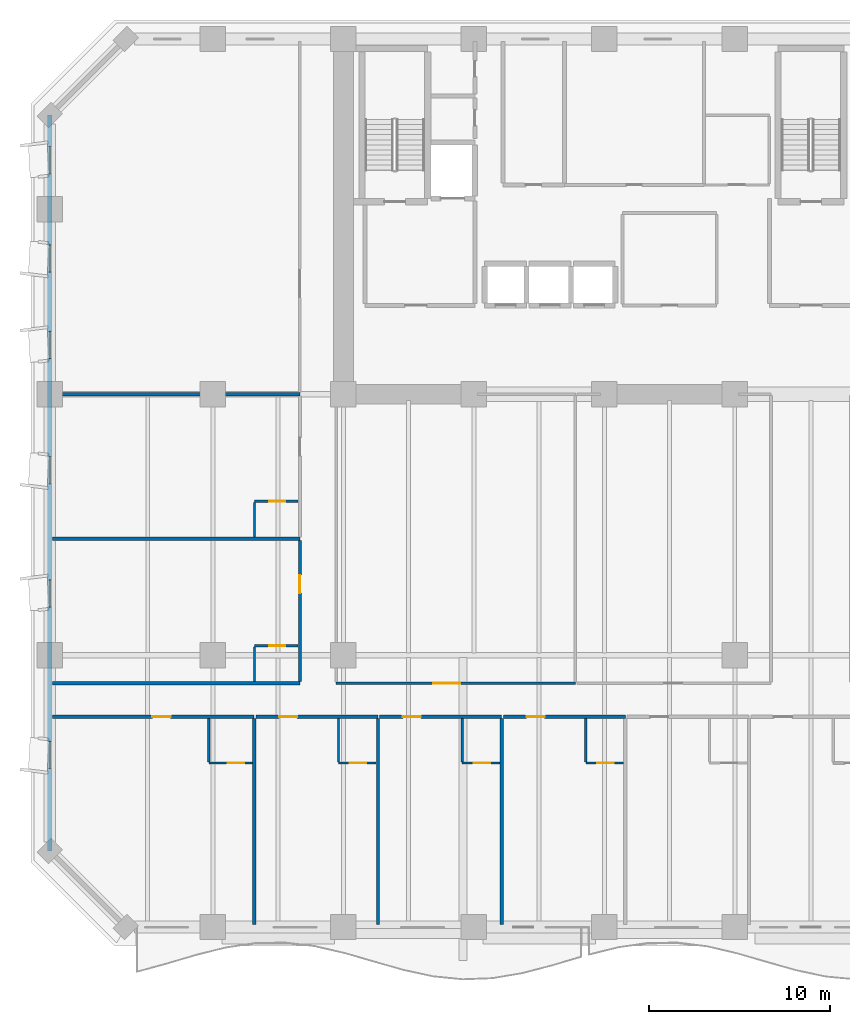
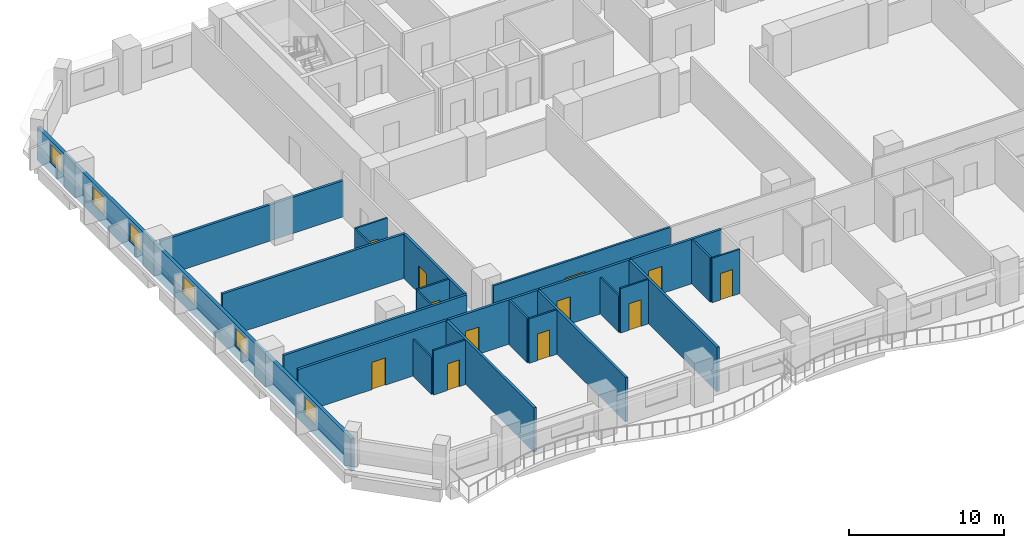
# One storey, part 4 of 15: 25 walls, 12 doors, 6 windows, 18 openings.
"""IFC4 building model written with IfcOpenShell, lengths in metres."""

from ifc_helpers import new_model, si_unit, direction, frame, frame_2d, origin, place, context, subcontext, project, spatial, rectangle, extrude, material, layer, layer_set, type_object, element, fill, save


model = new_model("IFC4")

# Units and contexts
model_context = context("Model", 3, precision=1e-05, world=origin(), true_north=direction((0.0, 1.0)))
body_context = subcontext(model_context, "Body", "Model", "MODEL_VIEW")
ifc_project = project(units=[si_unit("LENGTHUNIT", "METRE"), si_unit("AREAUNIT", "SQUARE_METRE"), si_unit("VOLUMEUNIT", "CUBIC_METRE"), si_unit("PLANEANGLEUNIT", "RADIAN"), si_unit("MASSUNIT", "GRAM", prefix="KILO")], contexts=[model_context])

# Site, building, storey
site_placement = place(None, origin())
site = spatial("IfcSite", under=ifc_project, at=site_placement, CompositionType="ELEMENT")
building_placement = place(site_placement, origin())
building = spatial("IfcBuilding", under=site, at=building_placement, Name="Kaelvorn Grand Hotel", CompositionType="ELEMENT")
storey_placement = place(building_placement, frame((0.0, 0.0, 53.89990234375)))
storey = spatial("IfcBuildingStorey", under=building, at=storey_placement, Name="L11", CompositionType="ELEMENT", Elevation=53.89990234375)

# Wall, openings, windows
ifc_material_1 = material(Name="Concrete C40/50", Category="concrete")
ifc_layer_1 = layer(ifc_material_1, 0.260009765625)
ifc_layer_set_1 = layer_set([ifc_layer_1], Name="Concrete C40/50")
wall_type_1 = type_object("IfcWallType", Name="WL-EXT-260-C40", PredefinedType="SOLIDWALL", material=ifc_layer_set_1)
wall_1_placement = place(storey_placement, frame((0.0, 44.800048828125, 0.0), z_axis=(0.0, 0.0, 1.0), x_axis=(0.0, -1.0, 0.0)))
wall_1 = element("IfcWall", 1, at=wall_1_placement, inside=storey, type_object=wall_type_1, Name="L11 Exterior Architectural Concrete Wall 07", PredefinedType="SOLIDWALL", context=body_context, shape_type="SweptSolid", body=[
    extrude(rectangle(XDim=40.60009765625, YDim=0.260009765625, at=frame_2d((20.300048828125, 0.0))), origin(), (0.0, 0.0, 1.0), 2.56005859375),
])
opening_1_placement = place(wall_1_placement, frame((34.550048828125, 0.0, 0.85009765625)))
opening_1 = element("IfcOpeningElement", 2, at=opening_1_placement, cuts=wall_1, Name="Opening W10", PredefinedType="OPENING", context=body_context, shape_type="SweptSolid", body=[
    extrude(rectangle(XDim=1.5, YDim=1.39990234375, at=frame_2d((0.75, 0.699951171875))), frame((0.0, 0.14013671875, 0.0), z_axis=(0.0, -1.0, 0.0), x_axis=(1.0, 0.0, 0.0)), (0.0, 0.0, 1.0), 0.280029296875),
])
opening_2_placement = place(wall_1_placement, frame((25.639892578125, 0.0, 0.85009765625)))
opening_2 = element("IfcOpeningElement", 3, at=opening_2_placement, cuts=wall_1, Name="Opening W10", PredefinedType="OPENING", context=body_context, shape_type="SweptSolid", body=[
    extrude(rectangle(XDim=1.5, YDim=1.39990234375, at=frame_2d((0.75, 0.699951171875))), frame((0.0, 0.14013671875, 0.0), z_axis=(0.0, -1.0, 0.0), x_axis=(1.0, 0.0, 0.0)), (0.0, 0.0, 1.0), 0.280029296875),
])
opening_3_placement = place(wall_1_placement, frame((18.840087890625, 0.0, 0.85009765625)))
opening_3 = element("IfcOpeningElement", 4, at=opening_3_placement, cuts=wall_1, Name="Opening W10", PredefinedType="OPENING", context=body_context, shape_type="SweptSolid", body=[
    extrude(rectangle(XDim=1.5, YDim=1.39990234375, at=frame_2d((0.75, 0.699951171875))), frame((0.0, 0.14013671875, 0.0), z_axis=(0.0, -1.0, 0.0), x_axis=(1.0, 0.0, 0.0)), (0.0, 0.0, 1.0), 0.280029296875),
])
opening_4_placement = place(wall_1_placement, frame((11.93505859375, 0.0, 0.85009765625)))
opening_4 = element("IfcOpeningElement", 5, at=opening_4_placement, cuts=wall_1, Name="Opening W10", PredefinedType="OPENING", context=body_context, shape_type="SweptSolid", body=[
    extrude(rectangle(XDim=1.5, YDim=1.39990234375, at=frame_2d((0.75, 0.699951171875))), frame((0.0, 0.14013671875, 0.0), z_axis=(0.0, -1.0, 0.0), x_axis=(1.0, 0.0, 0.0)), (0.0, 0.0, 1.0), 0.280029296875),
])
opening_5_placement = place(wall_1_placement, frame((7.1650390625, 0.0, 0.85009765625)))
opening_5 = element("IfcOpeningElement", 6, at=opening_5_placement, cuts=wall_1, Name="Opening W10", PredefinedType="OPENING", context=body_context, shape_type="SweptSolid", body=[
    extrude(rectangle(XDim=1.5, YDim=1.39990234375, at=frame_2d((0.75, 0.699951171875))), frame((0.0, 0.14013671875, 0.0), z_axis=(0.0, -1.0, 0.0), x_axis=(1.0, 0.0, 0.0)), (0.0, 0.0, 1.0), 0.280029296875),
])
opening_6_placement = place(wall_1_placement, frame((1.735107421875, 0.0, 0.85009765625)))
opening_6 = element("IfcOpeningElement", 7, at=opening_6_placement, cuts=wall_1, Name="Opening W10", PredefinedType="OPENING", context=body_context, shape_type="SweptSolid", body=[
    extrude(rectangle(XDim=1.5, YDim=1.39990234375, at=frame_2d((0.75, 0.699951171875))), frame((0.0, 0.14013671875, 0.0), z_axis=(0.0, -1.0, 0.0), x_axis=(1.0, 0.0, 0.0)), (0.0, 0.0, 1.0), 0.280029296875),
])
ifc_material_2 = material(Name="Laminated Low-E Glass", Category="glass")
window_type = type_object("IfcWindowType", Name="WIN-COR-1500x1400", PartitioningType="SINGLE_PANEL", PredefinedType="WINDOW", material=ifc_material_2)
window_1_placement = place(opening_1_placement, origin())
window_1 = element("IfcWindow", 8, at=window_1_placement, inside=storey, type_object=window_type, Name="L11 W Wing Tilted-Frame Ribbon Window W01", OverallHeight=1.39990234375, OverallWidth=1.5, PartitioningType="SINGLE_PANEL", PredefinedType="WINDOW", context=body_context, shape_type="SweptSolid", body=[
    extrude(rectangle(XDim=1.5, YDim=1.39990234375, at=frame_2d((0.75, 0.699951171875))), frame((0.0, 0.030029296875, 0.0), z_axis=(0.0, -1.0, 0.0), x_axis=(1.0, 0.0, 0.0)), (0.0, 0.0, 1.0), 0.06005859375),
])
fill(opening_1, window_1)
window_2_placement = place(opening_2_placement, origin())
window_2 = element("IfcWindow", 9, at=window_2_placement, inside=storey, type_object=window_type, Name="L11 W Wing Tilted-Frame Ribbon Window W02", OverallHeight=1.39990234375, OverallWidth=1.5, PartitioningType="SINGLE_PANEL", PredefinedType="WINDOW", context=body_context, shape_type="SweptSolid", body=[
    extrude(rectangle(XDim=1.5, YDim=1.39990234375, at=frame_2d((0.75, 0.699951171875))), frame((0.0, 0.030029296875, 0.0), z_axis=(0.0, -1.0, 0.0), x_axis=(1.0, 0.0, 0.0)), (0.0, 0.0, 1.0), 0.06005859375),
])
fill(opening_2, window_2)
window_3_placement = place(opening_3_placement, origin())
window_3 = element("IfcWindow", 10, at=window_3_placement, inside=storey, type_object=window_type, Name="L11 W Wing Tilted-Frame Ribbon Window W03", OverallHeight=1.39990234375, OverallWidth=1.5, PartitioningType="SINGLE_PANEL", PredefinedType="WINDOW", context=body_context, shape_type="SweptSolid", body=[
    extrude(rectangle(XDim=1.5, YDim=1.39990234375, at=frame_2d((0.75, 0.699951171875))), frame((0.0, 0.030029296875, 0.0), z_axis=(0.0, -1.0, 0.0), x_axis=(1.0, 0.0, 0.0)), (0.0, 0.0, 1.0), 0.06005859375),
])
fill(opening_3, window_3)
window_4_placement = place(opening_4_placement, origin())
window_4 = element("IfcWindow", 11, at=window_4_placement, inside=storey, type_object=window_type, Name="L11 W Wing Tilted-Frame Ribbon Window W04", OverallHeight=1.39990234375, OverallWidth=1.5, PartitioningType="SINGLE_PANEL", PredefinedType="WINDOW", context=body_context, shape_type="SweptSolid", body=[
    extrude(rectangle(XDim=1.5, YDim=1.39990234375, at=frame_2d((0.75, 0.699951171875))), frame((0.0, 0.030029296875, 0.0), z_axis=(0.0, -1.0, 0.0), x_axis=(1.0, 0.0, 0.0)), (0.0, 0.0, 1.0), 0.06005859375),
])
fill(opening_4, window_4)
window_5_placement = place(opening_5_placement, origin())
window_5 = element("IfcWindow", 12, at=window_5_placement, inside=storey, type_object=window_type, Name="L11 W Wing Tilted-Frame Ribbon Window W05", OverallHeight=1.39990234375, OverallWidth=1.5, PartitioningType="SINGLE_PANEL", PredefinedType="WINDOW", context=body_context, shape_type="SweptSolid", body=[
    extrude(rectangle(XDim=1.5, YDim=1.39990234375, at=frame_2d((0.75, 0.699951171875))), frame((0.0, 0.030029296875, 0.0), z_axis=(0.0, -1.0, 0.0), x_axis=(1.0, 0.0, 0.0)), (0.0, 0.0, 1.0), 0.06005859375),
])
fill(opening_5, window_5)
window_6_placement = place(opening_6_placement, origin())
window_6 = element("IfcWindow", 13, at=window_6_placement, inside=storey, type_object=window_type, Name="L11 W Wing Tilted-Frame Ribbon Window W06", OverallHeight=1.39990234375, OverallWidth=1.5, PartitioningType="SINGLE_PANEL", PredefinedType="WINDOW", context=body_context, shape_type="SweptSolid", body=[
    extrude(rectangle(XDim=1.5, YDim=1.39990234375, at=frame_2d((0.75, 0.699951171875))), frame((0.0, 0.030029296875, 0.0), z_axis=(0.0, -1.0, 0.0), x_axis=(1.0, 0.0, 0.0)), (0.0, 0.0, 1.0), 0.06005859375),
])
fill(opening_6, window_6)

# Wall, opening, door
ifc_material_3 = material(Name="Moisture-Resistant Tile & Stud Board")
ifc_layer_2 = layer(ifc_material_3, 0.125)
ifc_layer_set_2 = layer_set([ifc_layer_2], Name="Moisture-Resistant Tile & Stud Board")
wall_type_2 = type_object("IfcWallType", Name="WL-PART-125-WET", PredefinedType="PARTITIONING", material=ifc_layer_set_2)
wall_2_placement = place(storey_placement, frame((8.77734375, 9.050048828125, 0.0), z_axis=(0.0, 0.0, 1.0), x_axis=(1.0, 0.0, 0.0)))
wall_2 = element("IfcWall", 14, at=wall_2_placement, inside=storey, type_object=wall_type_2, Name="L11 En-suite Bathroom L11-01 S Partition", PredefinedType="PARTITIONING", context=body_context, shape_type="SweptSolid", body=[
    extrude(rectangle(XDim=2.405029296875, YDim=0.125, at=frame_2d((1.20263671875, 0.0))), origin(), (0.0, 0.0, 1.0), 3.510009765625),
])
opening_7_placement = place(wall_2_placement, frame((1.050048828125, 0.0, 0.0)))
opening_7 = element("IfcOpeningElement", 15, at=opening_7_placement, cuts=wall_2, Name="Opening DI4", PredefinedType="OPENING", context=body_context, shape_type="SweptSolid", body=[
    extrude(rectangle(XDim=0.89990234375, YDim=2.10009765625, at=frame_2d((0.449951171875, 1.050048828125))), frame((0.0, 0.072509765625, 0.0), z_axis=(0.0, -1.0, 0.0), x_axis=(1.0, 0.0, 0.0)), (0.0, 0.0, 1.0), 0.14501953125),
])
ifc_material_4 = material(Name="Timber Veneer Leaf", Category="wood")
door_type_1 = type_object("IfcDoorType", Name="DR-INT-BATH-900x2100", OperationType="NOTDEFINED", PredefinedType="DOOR", material=ifc_material_4)
door_1_placement = place(opening_7_placement, origin())
door_1 = element("IfcDoor", 16, at=door_1_placement, inside=storey, type_object=door_type_1, Name="L11 En-suite Bathroom L11-01 Door", OperationType="SINGLE_SWING_RIGHT", OverallHeight=2.10009765625, OverallWidth=0.89990234375, PredefinedType="DOOR", context=body_context, shape_type="SweptSolid", body=[
    extrude(rectangle(XDim=0.89990234375, YDim=2.10009765625, at=frame_2d((0.449951171875, 1.050048828125))), frame((0.0, 0.02490234375, 0.0), z_axis=(0.0, -1.0, 0.0), x_axis=(1.0, 0.0, 0.0)), (0.0, 0.0, 1.0), 0.050048828125),
])
fill(opening_7, door_1)

# Wall
wall_3_placement = place(storey_placement, frame((8.77734375, 9.117431640625, 0.0), z_axis=(0.0, 0.0, 1.0), x_axis=(0.0, 1.0, 0.0)))
element("IfcWall", 17, at=wall_3_placement, inside=storey, type_object=wall_type_2, Name="L11 En-suite Bathroom L11-01 W Partition", PredefinedType="PARTITIONING", context=body_context, shape_type="SweptSolid", body=[
    extrude(rectangle(XDim=2.387451171875, YDim=0.125, at=frame_2d((1.19384765625, 0.0))), origin(), (0.0, 0.0, 1.0), 2.89794921875),
])

# Wall, opening, door
wall_4_placement = place(storey_placement, frame((15.924560546875, 9.050048828125, 0.0), z_axis=(0.0, 0.0, 1.0), x_axis=(1.0, 0.0, 0.0)))
wall_4 = element("IfcWall", 18, at=wall_4_placement, inside=storey, type_object=wall_type_2, Name="L11 En-suite Bathroom L11-02 S Partition", PredefinedType="PARTITIONING", context=body_context, shape_type="SweptSolid", body=[
    extrude(rectangle(XDim=2.0849609375, YDim=0.125, at=frame_2d((1.04248046875, 0.0))), origin(), (0.0, 0.0, 1.0), 3.510009765625),
])
opening_8_placement = place(wall_4_placement, frame((0.639892578125, 0.0, 0.0)))
opening_8 = element("IfcOpeningElement", 19, at=opening_8_placement, cuts=wall_4, Name="Opening DI4", PredefinedType="OPENING", context=body_context, shape_type="SweptSolid", body=[
    extrude(rectangle(XDim=0.89990234375, YDim=2.10009765625, at=frame_2d((0.449951171875, 1.050048828125))), frame((0.0, 0.072509765625, 0.0), z_axis=(0.0, -1.0, 0.0), x_axis=(1.0, 0.0, 0.0)), (0.0, 0.0, 1.0), 0.14501953125),
])
door_2_placement = place(opening_8_placement, origin())
door_2 = element("IfcDoor", 20, at=door_2_placement, inside=storey, type_object=door_type_1, Name="L11 En-suite Bathroom L11-02 Door", OperationType="SINGLE_SWING_RIGHT", OverallHeight=2.10009765625, OverallWidth=0.89990234375, PredefinedType="DOOR", context=body_context, shape_type="SweptSolid", body=[
    extrude(rectangle(XDim=0.89990234375, YDim=2.10009765625, at=frame_2d((0.449951171875, 1.050048828125))), frame((0.0, 0.02490234375, 0.0), z_axis=(0.0, -1.0, 0.0), x_axis=(1.0, 0.0, 0.0)), (0.0, 0.0, 1.0), 0.050048828125),
])
fill(opening_8, door_2)

# Wall
wall_5_placement = place(storey_placement, frame((15.924560546875, 9.117431640625, 0.0), z_axis=(0.0, 0.0, 1.0), x_axis=(0.0, 1.0, 0.0)))
element("IfcWall", 21, at=wall_5_placement, inside=storey, type_object=wall_type_2, Name="L11 En-suite Bathroom L11-02 W Partition", PredefinedType="PARTITIONING", context=body_context, shape_type="SweptSolid", body=[
    extrude(rectangle(XDim=2.387451171875, YDim=0.125, at=frame_2d((1.19384765625, 0.0))), origin(), (0.0, 0.0, 1.0), 3.510009765625),
])

# Wall, opening, door
wall_6_placement = place(storey_placement, frame((22.751708984375, 9.050048828125, 0.0), z_axis=(0.0, 0.0, 1.0), x_axis=(1.0, 0.0, 0.0)))
wall_6 = element("IfcWall", 22, at=wall_6_placement, inside=storey, type_object=wall_type_2, Name="L11 En-suite Bathroom L11-03 S Partition", PredefinedType="PARTITIONING", context=body_context, shape_type="SweptSolid", body=[
    extrude(rectangle(XDim=2.085205078125, YDim=0.125, at=frame_2d((1.04248046875, 0.0))), origin(), (0.0, 0.0, 1.0), 3.510009765625),
])
opening_9_placement = place(wall_6_placement, frame((0.639892578125, 0.0, 0.0)))
opening_9 = element("IfcOpeningElement", 23, at=opening_9_placement, cuts=wall_6, Name="Opening DI4", PredefinedType="OPENING", context=body_context, shape_type="SweptSolid", body=[
    extrude(rectangle(XDim=0.89990234375, YDim=2.10009765625, at=frame_2d((0.449951171875, 1.050048828125))), frame((0.0, 0.072509765625, 0.0), z_axis=(0.0, -1.0, 0.0), x_axis=(1.0, 0.0, 0.0)), (0.0, 0.0, 1.0), 0.14501953125),
])
door_3_placement = place(opening_9_placement, origin())
door_3 = element("IfcDoor", 24, at=door_3_placement, inside=storey, type_object=door_type_1, Name="L11 En-suite Bathroom L11-03 Door", OperationType="SINGLE_SWING_RIGHT", OverallHeight=2.10009765625, OverallWidth=0.89990234375, PredefinedType="DOOR", context=body_context, shape_type="SweptSolid", body=[
    extrude(rectangle(XDim=0.89990234375, YDim=2.10009765625, at=frame_2d((0.449951171875, 1.050048828125))), frame((0.0, 0.02490234375, 0.0), z_axis=(0.0, -1.0, 0.0), x_axis=(1.0, 0.0, 0.0)), (0.0, 0.0, 1.0), 0.050048828125),
])
fill(opening_9, door_3)

# Wall
wall_7_placement = place(storey_placement, frame((22.751708984375, 9.117431640625, 0.0), z_axis=(0.0, 0.0, 1.0), x_axis=(0.0, 1.0, 0.0)))
element("IfcWall", 25, at=wall_7_placement, inside=storey, type_object=wall_type_2, Name="L11 En-suite Bathroom L11-03 W Partition", PredefinedType="PARTITIONING", context=body_context, shape_type="SweptSolid", body=[
    extrude(rectangle(XDim=2.387451171875, YDim=0.125, at=frame_2d((1.19384765625, 0.0))), origin(), (0.0, 0.0, 1.0), 2.880126953125),
])

# Wall, opening, door
wall_8_placement = place(storey_placement, frame((29.5791015625, 9.050048828125, 0.0), z_axis=(0.0, 0.0, 1.0), x_axis=(1.0, 0.0, 0.0)))
wall_8 = element("IfcWall", 26, at=wall_8_placement, inside=storey, type_object=wall_type_2, Name="L11 En-suite Bathroom L11-04 S Partition", PredefinedType="PARTITIONING", context=body_context, shape_type="SweptSolid", body=[
    extrude(rectangle(XDim=2.0849609375, YDim=0.125, at=frame_2d((1.04248046875, 0.0))), origin(), (0.0, 0.0, 1.0), 3.510009765625),
])
opening_10_placement = place(wall_8_placement, frame((0.639892578125, 0.0, 0.0)))
opening_10 = element("IfcOpeningElement", 27, at=opening_10_placement, cuts=wall_8, Name="Opening DI4", PredefinedType="OPENING", context=body_context, shape_type="SweptSolid", body=[
    extrude(rectangle(XDim=0.89990234375, YDim=2.10009765625, at=frame_2d((0.449951171875, 1.050048828125))), frame((0.0, 0.072509765625, 0.0), z_axis=(0.0, -1.0, 0.0), x_axis=(1.0, 0.0, 0.0)), (0.0, 0.0, 1.0), 0.14501953125),
])
door_4_placement = place(opening_10_placement, origin())
door_4 = element("IfcDoor", 28, at=door_4_placement, inside=storey, type_object=door_type_1, Name="L11 En-suite Bathroom L11-04 Door", OperationType="SINGLE_SWING_RIGHT", OverallHeight=2.10009765625, OverallWidth=0.89990234375, PredefinedType="DOOR", context=body_context, shape_type="SweptSolid", body=[
    extrude(rectangle(XDim=0.89990234375, YDim=2.10009765625, at=frame_2d((0.449951171875, 1.050048828125))), frame((0.0, 0.02490234375, 0.0), z_axis=(0.0, -1.0, 0.0), x_axis=(1.0, 0.0, 0.0)), (0.0, 0.0, 1.0), 0.050048828125),
])
fill(opening_10, door_4)

# Wall
wall_9_placement = place(storey_placement, frame((29.5791015625, 9.117431640625, 0.0), z_axis=(0.0, 0.0, 1.0), x_axis=(0.0, 1.0, 0.0)))
element("IfcWall", 29, at=wall_9_placement, inside=storey, type_object=wall_type_2, Name="L11 En-suite Bathroom L11-04 W Partition", PredefinedType="PARTITIONING", context=body_context, shape_type="SweptSolid", body=[
    extrude(rectangle(XDim=2.387451171875, YDim=0.125, at=frame_2d((1.19384765625, 0.0))), origin(), (0.0, 0.0, 1.0), 3.510009765625),
])

# Wall, opening, door
wall_10_placement = place(storey_placement, frame((11.300048828125, 15.52001953125, 0.0), z_axis=(0.0, 0.0, 1.0), x_axis=(1.0, 0.0, 0.0)))
wall_10 = element("IfcWall", 30, at=wall_10_placement, inside=storey, type_object=wall_type_2, Name="L11 En-suite Bathroom L11-12 N Partition", PredefinedType="PARTITIONING", context=body_context, shape_type="SweptSolid", body=[
    extrude(rectangle(XDim=2.405029296875, YDim=0.125, at=frame_2d((1.20263671875, 0.0))), origin(), (0.0, 0.0, 1.0), 3.510009765625),
])
opening_11_placement = place(wall_10_placement, frame((0.800048828125, 0.0, 0.0)))
opening_11 = element("IfcOpeningElement", 31, at=opening_11_placement, cuts=wall_10, Name="Opening DI4", PredefinedType="OPENING", context=body_context, shape_type="SweptSolid", body=[
    extrude(rectangle(XDim=0.89990234375, YDim=2.10009765625, at=frame_2d((0.449951171875, 1.050048828125))), frame((0.0, 0.072509765625, 0.0), z_axis=(0.0, -1.0, 0.0), x_axis=(1.0, 0.0, 0.0)), (0.0, 0.0, 1.0), 0.14501953125),
])
door_5_placement = place(opening_11_placement, origin())
door_5 = element("IfcDoor", 32, at=door_5_placement, inside=storey, type_object=door_type_1, Name="L11 En-suite Bathroom L11-12 Door", OperationType="SINGLE_SWING_RIGHT", OverallHeight=2.10009765625, OverallWidth=0.89990234375, PredefinedType="DOOR", context=body_context, shape_type="SweptSolid", body=[
    extrude(rectangle(XDim=0.89990234375, YDim=2.10009765625, at=frame_2d((0.449951171875, 1.050048828125))), frame((0.0, 0.02490234375, 0.0), z_axis=(0.0, -1.0, 0.0), x_axis=(1.0, 0.0, 0.0)), (0.0, 0.0, 1.0), 0.050048828125),
])
fill(opening_11, door_5)

# Wall
wall_11_placement = place(storey_placement, frame((11.300048828125, 13.544921875, 0.0), z_axis=(0.0, 0.0, 1.0), x_axis=(0.0, 1.0, 0.0)))
element("IfcWall", 33, at=wall_11_placement, inside=storey, type_object=wall_type_2, Name="L11 En-suite Bathroom L11-12 W Partition", PredefinedType="PARTITIONING", context=body_context, shape_type="SweptSolid", body=[
    extrude(rectangle(XDim=1.907470703125, YDim=0.125, at=frame_2d((0.95361328125, 0.0))), origin(), (0.0, 0.0, 1.0), 3.510009765625),
])

# Wall, opening, door
wall_12_placement = place(storey_placement, frame((11.300048828125, 23.489990234375, 0.0), z_axis=(0.0, 0.0, 1.0), x_axis=(1.0, 0.0, 0.0)))
wall_12 = element("IfcWall", 34, at=wall_12_placement, inside=storey, type_object=wall_type_2, Name="L11 En-suite Bathroom L11-13 N Partition", PredefinedType="PARTITIONING", context=body_context, shape_type="SweptSolid", body=[
    extrude(rectangle(XDim=2.405029296875, YDim=0.125, at=frame_2d((1.20263671875, 0.0))), origin(), (0.0, 0.0, 1.0), 3.510009765625),
])
opening_12_placement = place(wall_12_placement, frame((0.800048828125, 0.0, 0.0)))
opening_12 = element("IfcOpeningElement", 35, at=opening_12_placement, cuts=wall_12, Name="Opening DI4", PredefinedType="OPENING", context=body_context, shape_type="SweptSolid", body=[
    extrude(rectangle(XDim=0.89990234375, YDim=2.10009765625, at=frame_2d((0.449951171875, 1.050048828125))), frame((0.0, 0.072509765625, 0.0), z_axis=(0.0, -1.0, 0.0), x_axis=(1.0, 0.0, 0.0)), (0.0, 0.0, 1.0), 0.14501953125),
])
door_6_placement = place(opening_12_placement, origin())
door_6 = element("IfcDoor", 36, at=door_6_placement, inside=storey, type_object=door_type_1, Name="L11 En-suite Bathroom L11-13 Door", OperationType="SINGLE_SWING_RIGHT", OverallHeight=2.10009765625, OverallWidth=0.89990234375, PredefinedType="DOOR", context=body_context, shape_type="SweptSolid", body=[
    extrude(rectangle(XDim=0.89990234375, YDim=2.10009765625, at=frame_2d((0.449951171875, 1.050048828125))), frame((0.0, 0.02490234375, 0.0), z_axis=(0.0, -1.0, 0.0), x_axis=(1.0, 0.0, 0.0)), (0.0, 0.0, 1.0), 0.050048828125),
])
fill(opening_12, door_6)

# Wall
wall_13_placement = place(storey_placement, frame((11.300048828125, 21.514892578125, 0.0), z_axis=(0.0, 0.0, 1.0), x_axis=(0.0, 1.0, 0.0)))
element("IfcWall", 37, at=wall_13_placement, inside=storey, type_object=wall_type_2, Name="L11 En-suite Bathroom L11-13 W Partition", PredefinedType="PARTITIONING", context=body_context, shape_type="SweptSolid", body=[
    extrude(rectangle(XDim=1.90771484375, YDim=0.125, at=frame_2d((0.953857421875, 0.0))), origin(), (0.0, 0.0, 1.0), 3.510009765625),
])

# Wall, opening, door
ifc_material_5 = material(Name="Acoustic Gypsum & Stud Partition")
ifc_layer_3 = layer(ifc_material_5, 0.14990234375)
ifc_layer_set_3 = layer_set([ifc_layer_3], Name="Acoustic Gypsum & Stud Partition")
wall_type_3 = type_object("IfcWallType", Name="WL-PART-150-EI60", PredefinedType="PARTITIONING", material=ifc_layer_set_3)
wall_14_placement = place(storey_placement, frame((15.800048828125, 13.449951171875, 0.0), z_axis=(0.0, 0.0, 1.0), x_axis=(1.0, 0.0, 0.0)))
wall_14 = element("IfcWall", 38, at=wall_14_placement, inside=storey, type_object=wall_type_3, Name="L11 Reading Library Lounge S Partition", PredefinedType="PARTITIONING", context=body_context, shape_type="SweptSolid", body=[
    extrude(rectangle(XDim=13.199951171875, YDim=0.14990234375, at=frame_2d((6.60009765625, 0.0))), origin(), (0.0, 0.0, 1.0), 3.510009765625),
])
opening_13_placement = place(wall_14_placement, frame((5.35009765625, 0.0, 0.0)))
opening_13 = element("IfcOpeningElement", 39, at=opening_13_placement, cuts=wall_14, Name="Opening DI5", PredefinedType="OPENING", context=body_context, shape_type="SweptSolid", body=[
    extrude(rectangle(XDim=1.5, YDim=2.25, at=frame_2d((0.75, 1.125))), frame((0.0, 0.0849609375, 0.0), z_axis=(0.0, -1.0, 0.0), x_axis=(1.0, 0.0, 0.0)), (0.0, 0.0, 1.0), 0.169921875),
])
ifc_material_6 = material(Name="Timber Veneer Fire Leaf", Category="wood")
door_type_2 = type_object("IfcDoorType", Name="DR-INT-SALON-1500x2250", OperationType="DOUBLE_DOOR_SINGLE_SWING", PredefinedType="DOOR", material=ifc_material_6)
door_7_placement = place(opening_13_placement, origin())
door_7 = element("IfcDoor", 40, at=door_7_placement, inside=storey, type_object=door_type_2, Name="L11 Reading Library Lounge Door", OperationType="DOUBLE_DOOR_SINGLE_SWING", OverallHeight=2.25, OverallWidth=1.5, PredefinedType="DOOR", context=body_context, shape_type="SweptSolid", body=[
    extrude(rectangle(XDim=1.5, YDim=2.25, at=frame_2d((0.75, 1.125))), frame((0.0, 0.02490234375, 0.0), z_axis=(0.0, -1.0, 0.0), x_axis=(1.0, 0.0, 0.0)), (0.0, 0.0, 1.0), 0.050048828125),
])
fill(opening_13, door_7)

ifc_layer_4 = layer(ifc_material_5, 0.179931640625)
ifc_layer_set_4 = layer_set([ifc_layer_4], Name="Acoustic Gypsum & Stud Partition")
wall_type_4 = type_object("IfcWallType", Name="WL-PART-180-EI60", PredefinedType="PARTITIONING", material=ifc_layer_set_4)
wall_15_placement = place(storey_placement, frame((0.14990234375, 11.60009765625, 0.0), z_axis=(0.0, 0.0, 1.0), x_axis=(1.0, 0.0, 0.0)))
wall_15 = element("IfcWall", 41, at=wall_15_placement, inside=storey, type_object=wall_type_4, Name="L11 Deluxe Panoramic Suite L11-01 N Partition", PredefinedType="PARTITIONING", context=body_context, shape_type="SweptSolid", body=[
    extrude(rectangle(XDim=11.12744140625, YDim=0.179931640625, at=frame_2d((5.563720703125, 0.0))), origin(), (0.0, 0.0, 1.0), 3.510009765625),
])
opening_14_placement = place(wall_15_placement, frame((5.513671875, 0.0, 0.0)))
opening_14 = element("IfcOpeningElement", 42, at=opening_14_placement, cuts=wall_15, Name="Opening DI3", PredefinedType="OPENING", context=body_context, shape_type="SweptSolid", body=[
    extrude(rectangle(XDim=1.0, YDim=2.14990234375, at=frame_2d((0.5, 1.074951171875))), frame((0.0, 0.10009765625, 0.0), z_axis=(0.0, -1.0, 0.0), x_axis=(1.0, 0.0, 0.0)), (0.0, 0.0, 1.0), 0.199951171875),
])
door_type_3 = type_object("IfcDoorType", Name="DR-INT-GUEST-1000x2150", OperationType="NOTDEFINED", PredefinedType="DOOR", material=ifc_material_6)
door_8_placement = place(opening_14_placement, origin())
door_8 = element("IfcDoor", 43, at=door_8_placement, inside=storey, type_object=door_type_3, Name="L11 Deluxe Panoramic Suite L11-01 Door", OperationType="SINGLE_SWING_LEFT", OverallHeight=2.14990234375, OverallWidth=1.0, PredefinedType="DOOR", context=body_context, shape_type="SweptSolid", body=[
    extrude(rectangle(XDim=1.0, YDim=2.14990234375, at=frame_2d((0.5, 1.074951171875))), frame((0.0, 0.02490234375, 0.0), z_axis=(0.0, -1.0, 0.0), x_axis=(1.0, 0.0, 0.0)), (0.0, 0.0, 1.0), 0.050048828125),
])
fill(opening_14, door_8)

# Wall
wall_16_placement = place(storey_placement, frame((11.27734375, 0.14990234375, 0.0), z_axis=(0.0, 0.0, 1.0), x_axis=(0.0, 1.0, 0.0)))
element("IfcWall", 44, at=wall_16_placement, inside=storey, type_object=wall_type_4, Name="L11 Deluxe Panoramic Suite L11-01 E Partition", PredefinedType="PARTITIONING", context=body_context, shape_type="SweptSolid", body=[
    extrude(rectangle(XDim=11.35498046875, YDim=0.179931640625, at=frame_2d((5.677490234375, 0.0))), origin(), (0.0, 0.0, 1.0), 3.510009765625),
])

# Wall, opening, door
wall_17_placement = place(storey_placement, frame((11.372314453125, 11.60009765625, 0.0), z_axis=(0.0, 0.0, 1.0), x_axis=(1.0, 0.0, 0.0)))
wall_17 = element("IfcWall", 45, at=wall_17_placement, inside=storey, type_object=wall_type_4, Name="L11 Deluxe Panoramic Suite L11-02 N Partition", PredefinedType="PARTITIONING", context=body_context, shape_type="SweptSolid", body=[
    extrude(rectangle(XDim=6.732177734375, YDim=0.179931640625, at=frame_2d((3.3662109375, 0.0))), origin(), (0.0, 0.0, 1.0), 3.510009765625),
])
opening_15_placement = place(wall_17_placement, frame((1.278564453125, 0.0, 0.0)))
opening_15 = element("IfcOpeningElement", 46, at=opening_15_placement, cuts=wall_17, Name="Opening DI3", PredefinedType="OPENING", context=body_context, shape_type="SweptSolid", body=[
    extrude(rectangle(XDim=1.0, YDim=2.14990234375, at=frame_2d((0.5, 1.074951171875))), frame((0.0, 0.10009765625, 0.0), z_axis=(0.0, -1.0, 0.0), x_axis=(1.0, 0.0, 0.0)), (0.0, 0.0, 1.0), 0.199951171875),
])
door_9_placement = place(opening_15_placement, origin())
door_9 = element("IfcDoor", 47, at=door_9_placement, inside=storey, type_object=door_type_3, Name="L11 Deluxe Panoramic Suite L11-02 Door", OperationType="SINGLE_SWING_LEFT", OverallHeight=2.14990234375, OverallWidth=1.0, PredefinedType="DOOR", context=body_context, shape_type="SweptSolid", body=[
    extrude(rectangle(XDim=1.0, YDim=2.14990234375, at=frame_2d((0.5, 1.074951171875))), frame((0.0, 0.02490234375, 0.0), z_axis=(0.0, -1.0, 0.0), x_axis=(1.0, 0.0, 0.0)), (0.0, 0.0, 1.0), 0.050048828125),
])
fill(opening_15, door_9)

# Wall
wall_18_placement = place(storey_placement, frame((18.1044921875, 0.14990234375, 0.0), z_axis=(0.0, 0.0, 1.0), x_axis=(0.0, 1.0, 0.0)))
element("IfcWall", 48, at=wall_18_placement, inside=storey, type_object=wall_type_4, Name="L11 Deluxe Panoramic Suite L11-02 E Partition", PredefinedType="PARTITIONING", context=body_context, shape_type="SweptSolid", body=[
    extrude(rectangle(XDim=11.35498046875, YDim=0.179931640625, at=frame_2d((5.677490234375, 0.0))), origin(), (0.0, 0.0, 1.0), 3.510009765625),
])

# Wall, opening, door
wall_19_placement = place(storey_placement, frame((18.199462890625, 11.60009765625, 0.0), z_axis=(0.0, 0.0, 1.0), x_axis=(1.0, 0.0, 0.0)))
wall_19 = element("IfcWall", 49, at=wall_19_placement, inside=storey, type_object=wall_type_4, Name="L11 Deluxe Panoramic Suite L11-03 N Partition", PredefinedType="PARTITIONING", context=body_context, shape_type="SweptSolid", body=[
    extrude(rectangle(XDim=6.732421875, YDim=0.179931640625, at=frame_2d((3.3662109375, 0.0))), origin(), (0.0, 0.0, 1.0), 3.510009765625),
])
opening_16_placement = place(wall_19_placement, frame((1.278564453125, 0.0, 0.0)))
opening_16 = element("IfcOpeningElement", 50, at=opening_16_placement, cuts=wall_19, Name="Opening DI3", PredefinedType="OPENING", context=body_context, shape_type="SweptSolid", body=[
    extrude(rectangle(XDim=1.0, YDim=2.14990234375, at=frame_2d((0.5, 1.074951171875))), frame((0.0, 0.10009765625, 0.0), z_axis=(0.0, -1.0, 0.0), x_axis=(1.0, 0.0, 0.0)), (0.0, 0.0, 1.0), 0.199951171875),
])
door_10_placement = place(opening_16_placement, origin())
door_10 = element("IfcDoor", 51, at=door_10_placement, inside=storey, type_object=door_type_3, Name="L11 Deluxe Panoramic Suite L11-03 Door", OperationType="SINGLE_SWING_LEFT", OverallHeight=2.14990234375, OverallWidth=1.0, PredefinedType="DOOR", context=body_context, shape_type="SweptSolid", body=[
    extrude(rectangle(XDim=1.0, YDim=2.14990234375, at=frame_2d((0.5, 1.074951171875))), frame((0.0, 0.02490234375, 0.0), z_axis=(0.0, -1.0, 0.0), x_axis=(1.0, 0.0, 0.0)), (0.0, 0.0, 1.0), 0.050048828125),
])
fill(opening_16, door_10)

# Wall
wall_20_placement = place(storey_placement, frame((24.931884765625, 0.14990234375, 0.0), z_axis=(0.0, 0.0, 1.0), x_axis=(0.0, 1.0, 0.0)))
element("IfcWall", 52, at=wall_20_placement, inside=storey, type_object=wall_type_4, Name="L11 Deluxe Panoramic Suite L11-03 E Partition", PredefinedType="PARTITIONING", context=body_context, shape_type="SweptSolid", body=[
    extrude(rectangle(XDim=11.35498046875, YDim=0.179931640625, at=frame_2d((5.677490234375, 0.0))), origin(), (0.0, 0.0, 1.0), 3.510009765625),
])

# Wall, opening, door
wall_21_placement = place(storey_placement, frame((25.02685546875, 11.60009765625, 0.0), z_axis=(0.0, 0.0, 1.0), x_axis=(1.0, 0.0, 0.0)))
wall_21 = element("IfcWall", 53, at=wall_21_placement, inside=storey, type_object=wall_type_4, Name="L11 Deluxe Panoramic Suite L11-04 N Partition", PredefinedType="PARTITIONING", context=body_context, shape_type="SweptSolid", body=[
    extrude(rectangle(XDim=6.732177734375, YDim=0.179931640625, at=frame_2d((3.3662109375, 0.0))), origin(), (0.0, 0.0, 1.0), 3.510009765625),
])
opening_17_placement = place(wall_21_placement, frame((1.27880859375, 0.0, 0.0)))
opening_17 = element("IfcOpeningElement", 54, at=opening_17_placement, cuts=wall_21, Name="Opening DI3", PredefinedType="OPENING", context=body_context, shape_type="SweptSolid", body=[
    extrude(rectangle(XDim=1.0, YDim=2.14990234375, at=frame_2d((0.5, 1.074951171875))), frame((0.0, 0.10009765625, 0.0), z_axis=(0.0, -1.0, 0.0), x_axis=(1.0, 0.0, 0.0)), (0.0, 0.0, 1.0), 0.199951171875),
])
door_11_placement = place(opening_17_placement, origin())
door_11 = element("IfcDoor", 55, at=door_11_placement, inside=storey, type_object=door_type_3, Name="L11 Deluxe Panoramic Suite L11-04 Door", OperationType="SINGLE_SWING_LEFT", OverallHeight=2.14990234375, OverallWidth=1.0, PredefinedType="DOOR", context=body_context, shape_type="SweptSolid", body=[
    extrude(rectangle(XDim=1.0, YDim=2.14990234375, at=frame_2d((0.5, 1.074951171875))), frame((0.0, 0.02490234375, 0.0), z_axis=(0.0, -1.0, 0.0), x_axis=(1.0, 0.0, 0.0)), (0.0, 0.0, 1.0), 0.050048828125),
])
fill(opening_17, door_11)

# Walls
for number, where, z_axis, x_axis, name in (
    (56, (0.14990234375, 13.449951171875, 0.0), (0.0, 0.0, 1.0), (1.0, 0.0, 0.0), "L11 West Wing Panoramic Suite L11-12 S Partition"),
    (57, (0.14990234375, 21.419921875, 0.0), (0.0, 0.0, 1.0), (1.0, 0.0, 0.0), "L11 West Wing Panoramic Suite L11-12 N Partition"),
):
    element("IfcWall", number, at=place(storey_placement, frame(where, z_axis=z_axis, x_axis=x_axis)), inside=storey, type_object=wall_type_4, Name=name, PredefinedType="PARTITIONING", context=body_context, shape_type="SweptSolid", body=[
        extrude(rectangle(XDim=13.650146484375, YDim=0.179931640625, at=frame_2d((6.8251953125, 0.0))), origin(), (0.0, 0.0, 1.0), 3.510009765625),
    ])

# Wall, opening, door
wall_22_placement = place(storey_placement, frame((13.800048828125, 13.544921875, 0.0), z_axis=(0.0, 0.0, 1.0), x_axis=(0.0, 1.0, 0.0)))
wall_22 = element("IfcWall", 58, at=wall_22_placement, inside=storey, type_object=wall_type_4, Name="L11 West Wing Panoramic Suite L11-12 E Partition", PredefinedType="PARTITIONING", context=body_context, shape_type="SweptSolid", body=[
    extrude(rectangle(XDim=7.780029296875, YDim=0.179931640625, at=frame_2d((3.89013671875, 0.0))), origin(), (0.0, 0.0, 1.0), 3.510009765625),
])
opening_18_placement = place(wall_22_placement, frame((4.875, 0.0, 0.0)))
opening_18 = element("IfcOpeningElement", 59, at=opening_18_placement, cuts=wall_22, Name="Opening DI3", PredefinedType="OPENING", context=body_context, shape_type="SweptSolid", body=[
    extrude(rectangle(XDim=1.0, YDim=2.14990234375, at=frame_2d((0.5, 1.074951171875))), frame((0.0, 0.10009765625, 0.0), z_axis=(0.0, -1.0, 0.0), x_axis=(1.0, 0.0, 0.0)), (0.0, 0.0, 1.0), 0.199951171875),
])
door_12_placement = place(opening_18_placement, origin())
door_12 = element("IfcDoor", 60, at=door_12_placement, inside=storey, type_object=door_type_3, Name="L11 West Wing Panoramic Suite L11-12 Door", OperationType="SINGLE_SWING_LEFT", OverallHeight=2.14990234375, OverallWidth=1.0, PredefinedType="DOOR", context=body_context, shape_type="SweptSolid", body=[
    extrude(rectangle(XDim=1.0, YDim=2.14990234375, at=frame_2d((0.5, 1.074951171875))), frame((0.0, 0.02490234375, 0.0), z_axis=(0.0, -1.0, 0.0), x_axis=(1.0, 0.0, 0.0)), (0.0, 0.0, 1.0), 0.050048828125),
])
fill(opening_18, door_12)

# Wall
wall_23_placement = place(storey_placement, frame((0.14990234375, 29.39990234375, 0.0), z_axis=(0.0, 0.0, 1.0), x_axis=(1.0, 0.0, 0.0)))
element("IfcWall", 61, at=wall_23_placement, inside=storey, type_object=wall_type_4, Name="L11 West Mid-Wing Suite L11-13 N Partition", PredefinedType="PARTITIONING", context=body_context, shape_type="SweptSolid", body=[
    extrude(rectangle(XDim=13.650146484375, YDim=0.179931640625, at=frame_2d((6.8251953125, 0.0))), origin(), (0.0, 0.0, 1.0), 2.860107421875),
])

save(model, "model.ifc")
